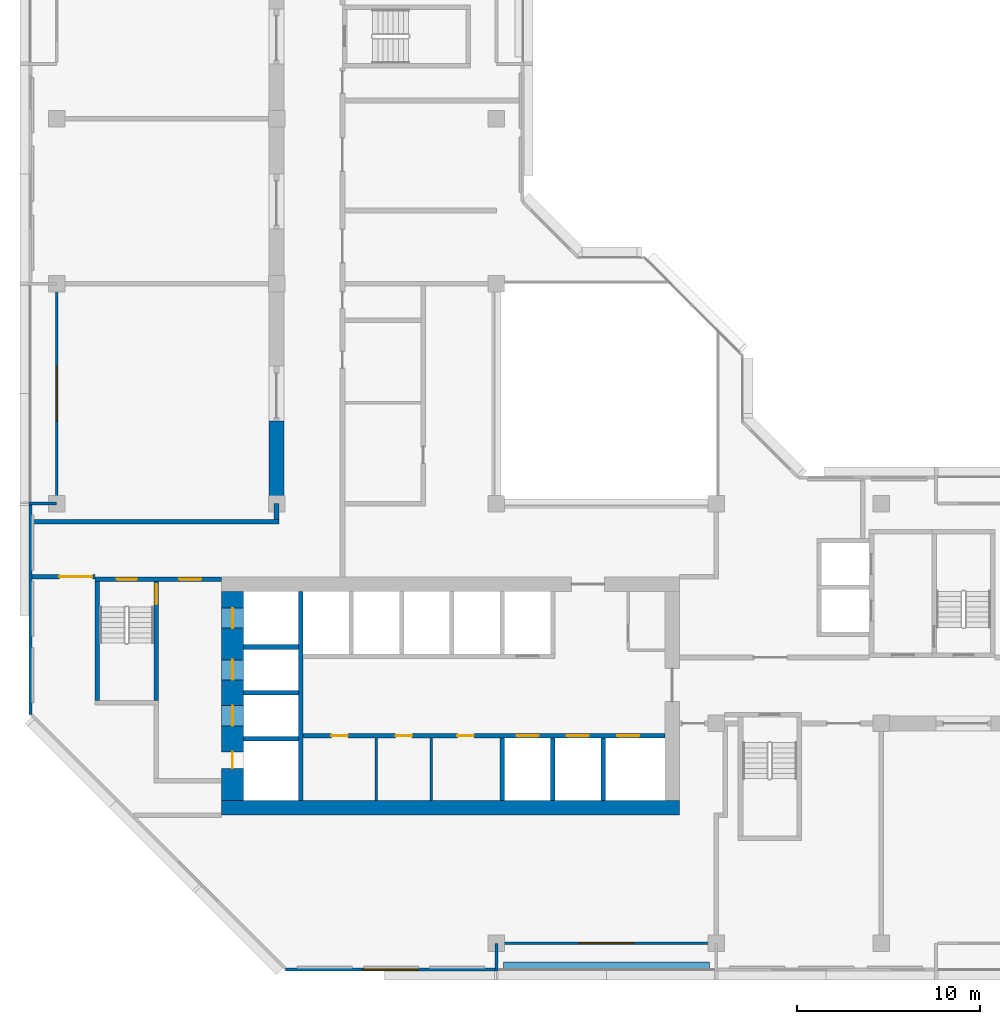
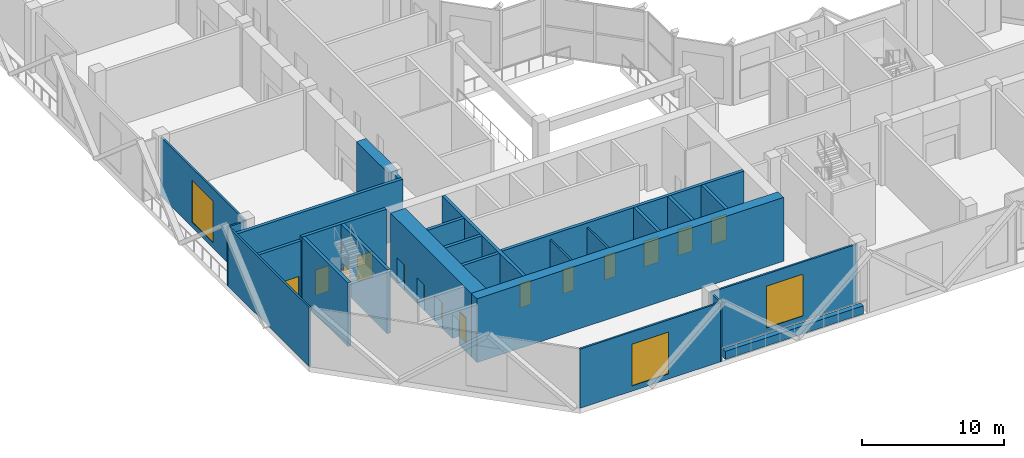
# One storey, part 4 of 11: 26 walls, 14 doors, 3 windows, 17 openings.
"""IFC4 building model written with IfcOpenShell, lengths in metres."""

from ifc_helpers import new_model, si_unit, direction, frame, frame_2d, origin, place, context, subcontext, project, spatial, rectangle, extrude, material, layer, layer_set, type_object, element, fill, save


model = new_model("IFC4")

# Units and contexts
model_context = context("Model", 3, precision=1e-05, world=origin(), true_north=direction((0.0, 1.0)))
body_context = subcontext(model_context, "Body", "Model", "MODEL_VIEW")
ifc_project = project(units=[si_unit("LENGTHUNIT", "METRE"), si_unit("AREAUNIT", "SQUARE_METRE"), si_unit("VOLUMEUNIT", "CUBIC_METRE"), si_unit("PLANEANGLEUNIT", "RADIAN"), si_unit("MASSUNIT", "GRAM", prefix="KILO")], contexts=[model_context])

# Site, building, storey
site_placement = place(None, origin())
site = spatial("IfcSite", under=ifc_project, at=site_placement, CompositionType="ELEMENT")
building_placement = place(site_placement, origin())
building = spatial("IfcBuilding", under=site, at=building_placement, Name="Chenar Terraces", CompositionType="ELEMENT")
storey_placement = place(building_placement, frame((0.0, 0.0, 206.14990234375)))
storey = spatial("IfcBuildingStorey", under=building, at=storey_placement, Name="L48", CompositionType="ELEMENT", Elevation=206.14990234375)

# Walls
ifc_material_1 = material(Name="Concrete C60/75", Category="concrete")
ifc_layer_1 = layer(ifc_material_1, 0.800048828125)
ifc_layer_set_1 = layer_set([ifc_layer_1], Name="Concrete C60/75")
wall_type_1 = type_object("IfcWallType", Name="Belt wall 800 Concrete C60/75", PredefinedType="SHEAR", material=ifc_layer_set_1)
wall_1_placement = place(storey_placement, frame((12.0, 24.0, 0.0), z_axis=(0.0, 0.0, 1.0), x_axis=(0.0, 1.0, 0.0)))
element("IfcWall", 1, at=wall_1_placement, inside=storey, type_object=wall_type_1, Name="Belt wall L48 B1", PredefinedType="SHEAR", context=body_context, shape_type="SweptSolid", body=[
    extrude(rectangle(XDim=4.5, YDim=0.800048828125, at=frame_2d((2.25, 0.0))), origin(), (0.0, 0.0, 1.0), 5.10009765625),
])
ifc_material_2 = material(Name="Gypsum board on steel studs", Category="steel")
ifc_layer_2 = layer(ifc_material_2, 0.14990234375)
ifc_layer_set_2 = layer_set([ifc_layer_2], Name="Gypsum board on steel studs")
wall_type_2 = type_object("IfcWallType", Name="Core partition 150 gypsum board", PredefinedType="PARTITIONING", material=ifc_layer_set_2)
for number, where, z_axis, x_axis, name in (
    (2, (17.449951171875, 7.800048828125, 0.0), (0.0, 0.0, 1.0), (0.0, 1.0, 0.0), "Core partition CP1 freed bay wall"),
    (3, (20.449951171875, 7.800048828125, 0.0), (0.0, 0.0, 1.0), (0.0, 1.0, 0.0), "Core partition CP1 freed bay wall"),
):
    element("IfcWall", number, at=place(storey_placement, frame(where, z_axis=z_axis, x_axis=x_axis)), inside=storey, type_object=wall_type_2, Name=name, PredefinedType="PARTITIONING", context=body_context, shape_type="SweptSolid", body=[
        extrude(rectangle(XDim=3.39990234375, YDim=0.14990234375, at=frame_2d((1.699951171875, 0.0))), origin(), (0.0, 0.0, 1.0), 5.10009765625),
    ])

# Wall, openings, doors
ifc_material_3 = material(Name="Concrete C60/75", Category="concrete")
ifc_layer_3 = layer(ifc_material_3, 1.199951171875)
ifc_layer_set_3 = layer_set([ifc_layer_3], Name="Concrete C60/75")
wall_type_3 = type_object("IfcWallType", Name="Core wall 1200 Concrete C60/75", PredefinedType="SHEAR", material=ifc_layer_set_3)
wall_2_placement = place(storey_placement, frame((9.60009765625, 7.800048828125, 0.0), z_axis=(0.0, 0.0, 1.0), x_axis=(0.0, 1.0, 0.0)))
wall_2 = element("IfcWall", 4, at=wall_2_placement, inside=storey, type_object=wall_type_3, Name="Core wall W L48", PredefinedType="SHEAR", context=body_context, shape_type="SweptSolid", body=[
    extrude(rectangle(XDim=11.39990234375, YDim=1.199951171875, at=frame_2d((5.699951171875, 0.0))), origin(), (0.0, 0.0, 1.0), 5.5),
])
opening_1_placement = place(wall_2_placement, frame((4.074951171875, 0.0, 0.0)))
opening_1 = element("IfcOpeningElement", 5, at=opening_1_placement, cuts=wall_2, Name="Opening DL48-LD5", PredefinedType="OPENING", context=body_context, shape_type="SweptSolid", body=[
    extrude(rectangle(XDim=1.10009765625, YDim=2.199951171875, at=frame_2d((0.550048828125, 1.10009765625))), frame((0.0, 0.60986328125, 0.0), z_axis=(0.0, -1.0, 0.0), x_axis=(1.0, 0.0, 0.0)), (0.0, 0.0, 1.0), 1.219970703125),
])
opening_2_placement = place(wall_2_placement, frame((6.574951171875, 0.0, 0.0)))
opening_2 = element("IfcOpeningElement", 6, at=opening_2_placement, cuts=wall_2, Name="Opening DL48-LD6", PredefinedType="OPENING", context=body_context, shape_type="SweptSolid", body=[
    extrude(rectangle(XDim=1.10009765625, YDim=2.199951171875, at=frame_2d((0.550048828125, 1.10009765625))), frame((0.0, 0.60986328125, 0.0), z_axis=(0.0, -1.0, 0.0), x_axis=(1.0, 0.0, 0.0)), (0.0, 0.0, 1.0), 1.219970703125),
])
opening_3_placement = place(wall_2_placement, frame((9.39990234375, 0.0, 0.0)))
opening_3 = element("IfcOpeningElement", 7, at=opening_3_placement, cuts=wall_2, Name="Opening DL48-LD7", PredefinedType="OPENING", context=body_context, shape_type="SweptSolid", body=[
    extrude(rectangle(XDim=1.10009765625, YDim=2.199951171875, at=frame_2d((0.550048828125, 1.10009765625))), frame((0.0, 0.60986328125, 0.0), z_axis=(0.0, -1.0, 0.0), x_axis=(1.0, 0.0, 0.0)), (0.0, 0.0, 1.0), 1.219970703125),
])
opening_4_placement = place(wall_2_placement, frame((1.75, 0.0, 0.0)))
opening_4 = element("IfcOpeningElement", 8, at=opening_4_placement, cuts=wall_2, Name="Opening DL48-C4", PredefinedType="OPENING", context=body_context, shape_type="SweptSolid", body=[
    extrude(rectangle(XDim=0.89990234375, YDim=2.10009765625, at=frame_2d((0.449951171875, 1.050048828125))), frame((0.0, 0.60986328125, 0.0), z_axis=(0.0, -1.0, 0.0), x_axis=(1.0, 0.0, 0.0)), (0.0, 0.0, 1.0), 1.219970703125),
])
ifc_material_4 = material(Name="Stainless steel", Category="steel")
door_type_1 = type_object("IfcDoorType", Name="Lift landing door 1100 x 2200 sliding", OperationType="DOUBLE_DOOR_SLIDING", PredefinedType="DOOR", material=ifc_material_4)
door_1_placement = place(opening_1_placement, origin())
door_1 = element("IfcDoor", 9, at=door_1_placement, inside=storey, type_object=door_type_1, Name="Landing door S1", OperationType="DOUBLE_DOOR_SLIDING", OverallHeight=2.199951171875, OverallWidth=1.10009765625, PredefinedType="DOOR", context=body_context, shape_type="SweptSolid", body=[
    extrude(rectangle(XDim=1.10009765625, YDim=2.199951171875, at=frame_2d((0.550048828125, 1.10009765625))), frame((0.0, 0.02490234375, 0.0), z_axis=(0.0, -1.0, 0.0), x_axis=(1.0, 0.0, 0.0)), (0.0, 0.0, 1.0), 0.050048828125),
])
fill(opening_1, door_1)
door_2_placement = place(opening_2_placement, origin())
door_2 = element("IfcDoor", 10, at=door_2_placement, inside=storey, type_object=door_type_1, Name="Landing door F1", OperationType="DOUBLE_DOOR_SLIDING", OverallHeight=2.199951171875, OverallWidth=1.10009765625, PredefinedType="DOOR", context=body_context, shape_type="SweptSolid", body=[
    extrude(rectangle(XDim=1.10009765625, YDim=2.199951171875, at=frame_2d((0.550048828125, 1.10009765625))), frame((0.0, 0.02490234375, 0.0), z_axis=(0.0, -1.0, 0.0), x_axis=(1.0, 0.0, 0.0)), (0.0, 0.0, 1.0), 0.050048828125),
])
fill(opening_2, door_2)
door_3_placement = place(opening_3_placement, origin())
door_3 = element("IfcDoor", 11, at=door_3_placement, inside=storey, type_object=door_type_1, Name="Landing door F2", OperationType="DOUBLE_DOOR_SLIDING", OverallHeight=2.199951171875, OverallWidth=1.10009765625, PredefinedType="DOOR", context=body_context, shape_type="SweptSolid", body=[
    extrude(rectangle(XDim=1.10009765625, YDim=2.199951171875, at=frame_2d((0.550048828125, 1.10009765625))), frame((0.0, 0.02490234375, 0.0), z_axis=(0.0, -1.0, 0.0), x_axis=(1.0, 0.0, 0.0)), (0.0, 0.0, 1.0), 0.050048828125),
])
fill(opening_3, door_3)
ifc_material_5 = material(Name="Steel-framed fire-resisting door leaf", Category="steel")
door_type_2 = type_object("IfcDoorType", Name="Riser fire door FD60 900 x 2100", OperationType="SINGLE_SWING_LEFT", PredefinedType="DOOR", material=ifc_material_5)
door_4_placement = place(opening_4_placement, frame((0.89990234375, 0.0, 0.0), z_axis=(0.0, 0.0, 1.0), x_axis=(-1.0, 0.0, 0.0)))
door_4 = element("IfcDoor", 12, at=door_4_placement, inside=storey, type_object=door_type_2, Name="Riser door DL48-C4", OperationType="SINGLE_SWING_LEFT", OverallHeight=2.10009765625, OverallWidth=0.89990234375, PredefinedType="DOOR", context=body_context, shape_type="SweptSolid", body=[
    extrude(rectangle(XDim=0.89990234375, YDim=2.10009765625, at=frame_2d((0.449951171875, 1.050048828125))), frame((0.0, 0.02490234375, 0.0), z_axis=(0.0, -1.0, 0.0), x_axis=(1.0, 0.0, 0.0)), (0.0, 0.0, 1.0), 0.050048828125),
])
fill(opening_4, door_4)

# Wall
ifc_material_6 = material(Name="Concrete C60/75", Category="concrete")
ifc_layer_4 = layer(ifc_material_6, 0.25)
ifc_layer_set_4 = layer_set([ifc_layer_4], Name="Concrete C60/75")
wall_type_4 = type_object("IfcWallType", Name="Core wall 250 Concrete C60/75", PredefinedType="SHEAR", material=ifc_layer_set_4)
wall_3_placement = place(storey_placement, frame((13.324951171875, 7.800048828125, 0.0), z_axis=(0.0, 0.0, 1.0), x_axis=(0.0, 1.0, 0.0)))
element("IfcWall", 13, at=wall_3_placement, inside=storey, type_object=wall_type_4, Name="Core wall WI L48", PredefinedType="SHEAR", context=body_context, shape_type="SweptSolid", body=[
    extrude(rectangle(XDim=11.39990234375, YDim=0.25, at=frame_2d((5.699951171875, 0.0))), origin(), (0.0, 0.0, 1.0), 5.5),
])

# Wall, openings, doors
wall_4_placement = place(storey_placement, frame((13.449951171875, 11.324951171875, 0.0), z_axis=(0.0, 0.0, 1.0), x_axis=(1.0, 0.0, 0.0)))
wall_4 = element("IfcWall", 14, at=wall_4_placement, inside=storey, type_object=wall_type_4, Name="Core wall SF L48", PredefinedType="SHEAR", context=body_context, shape_type="SweptSolid", body=[
    extrude(rectangle(XDim=19.75, YDim=0.25, at=frame_2d((9.875, 0.0))), origin(), (0.0, 0.0, 1.0), 5.5),
])
opening_5_placement = place(wall_4_placement, frame((11.64990234375, 0.0, 0.0)))
opening_5 = element("IfcOpeningElement", 15, at=opening_5_placement, cuts=wall_4, Name="Opening DL48-LD1", PredefinedType="OPENING", context=body_context, shape_type="SweptSolid", body=[
    extrude(rectangle(XDim=1.199951171875, YDim=2.199951171875, at=frame_2d((0.60009765625, 1.10009765625))), frame((0.0, 0.135009765625, 0.0), z_axis=(0.0, -1.0, 0.0), x_axis=(1.0, 0.0, 0.0)), (0.0, 0.0, 1.0), 0.27001953125),
])
opening_6_placement = place(wall_4_placement, frame((14.39990234375, 0.0, 0.0)))
opening_6 = element("IfcOpeningElement", 16, at=opening_6_placement, cuts=wall_4, Name="Opening DL48-LD2", PredefinedType="OPENING", context=body_context, shape_type="SweptSolid", body=[
    extrude(rectangle(XDim=1.199951171875, YDim=2.199951171875, at=frame_2d((0.60009765625, 1.10009765625))), frame((0.0, 0.135009765625, 0.0), z_axis=(0.0, -1.0, 0.0), x_axis=(1.0, 0.0, 0.0)), (0.0, 0.0, 1.0), 0.27001953125),
])
opening_7_placement = place(wall_4_placement, frame((17.14990234375, 0.0, 0.0)))
opening_7 = element("IfcOpeningElement", 17, at=opening_7_placement, cuts=wall_4, Name="Opening DL48-LD3", PredefinedType="OPENING", context=body_context, shape_type="SweptSolid", body=[
    extrude(rectangle(XDim=1.199951171875, YDim=2.199951171875, at=frame_2d((0.60009765625, 1.10009765625))), frame((0.0, 0.135009765625, 0.0), z_axis=(0.0, -1.0, 0.0), x_axis=(1.0, 0.0, 0.0)), (0.0, 0.0, 1.0), 0.27001953125),
])
opening_8_placement = place(wall_4_placement, frame((1.550048828125, 0.0, 0.0)))
opening_8 = element("IfcOpeningElement", 18, at=opening_8_placement, cuts=wall_4, Name="Opening DL48-C12", PredefinedType="OPENING", context=body_context, shape_type="SweptSolid", body=[
    extrude(rectangle(XDim=0.89990234375, YDim=2.10009765625, at=frame_2d((0.449951171875, 1.050048828125))), frame((0.0, 0.135009765625, 0.0), z_axis=(0.0, -1.0, 0.0), x_axis=(1.0, 0.0, 0.0)), (0.0, 0.0, 1.0), 0.27001953125),
])
opening_9_placement = place(wall_4_placement, frame((5.050048828125, 0.0, 0.0)))
opening_9 = element("IfcOpeningElement", 19, at=opening_9_placement, cuts=wall_4, Name="Opening DL48-C13", PredefinedType="OPENING", context=body_context, shape_type="SweptSolid", body=[
    extrude(rectangle(XDim=0.89990234375, YDim=2.10009765625, at=frame_2d((0.449951171875, 1.050048828125))), frame((0.0, 0.135009765625, 0.0), z_axis=(0.0, -1.0, 0.0), x_axis=(1.0, 0.0, 0.0)), (0.0, 0.0, 1.0), 0.27001953125),
])
opening_10_placement = place(wall_4_placement, frame((8.425048828125, 0.0, 0.0)))
opening_10 = element("IfcOpeningElement", 20, at=opening_10_placement, cuts=wall_4, Name="Opening DL48-C14", PredefinedType="OPENING", context=body_context, shape_type="SweptSolid", body=[
    extrude(rectangle(XDim=0.89990234375, YDim=2.10009765625, at=frame_2d((0.449951171875, 1.050048828125))), frame((0.0, 0.135009765625, 0.0), z_axis=(0.0, -1.0, 0.0), x_axis=(1.0, 0.0, 0.0)), (0.0, 0.0, 1.0), 0.27001953125),
])
ifc_material_7 = material(Name="Stainless steel", Category="steel")
door_type_3 = type_object("IfcDoorType", Name="Lift landing door 1200 x 2200 sliding", OperationType="DOUBLE_DOOR_SLIDING", PredefinedType="DOOR", material=ifc_material_7)
door_5_placement = place(opening_5_placement, origin())
door_5 = element("IfcDoor", 21, at=door_5_placement, inside=storey, type_object=door_type_3, Name="Landing door M1", OperationType="DOUBLE_DOOR_SLIDING", OverallHeight=2.199951171875, OverallWidth=1.199951171875, PredefinedType="DOOR", context=body_context, shape_type="SweptSolid", body=[
    extrude(rectangle(XDim=1.199951171875, YDim=2.199951171875, at=frame_2d((0.60009765625, 1.10009765625))), frame((0.0, 0.02490234375, 0.0), z_axis=(0.0, -1.0, 0.0), x_axis=(1.0, 0.0, 0.0)), (0.0, 0.0, 1.0), 0.050048828125),
])
fill(opening_5, door_5)
door_6_placement = place(opening_6_placement, origin())
door_6 = element("IfcDoor", 22, at=door_6_placement, inside=storey, type_object=door_type_3, Name="Landing door M2", OperationType="DOUBLE_DOOR_SLIDING", OverallHeight=2.199951171875, OverallWidth=1.199951171875, PredefinedType="DOOR", context=body_context, shape_type="SweptSolid", body=[
    extrude(rectangle(XDim=1.199951171875, YDim=2.199951171875, at=frame_2d((0.60009765625, 1.10009765625))), frame((0.0, 0.02490234375, 0.0), z_axis=(0.0, -1.0, 0.0), x_axis=(1.0, 0.0, 0.0)), (0.0, 0.0, 1.0), 0.050048828125),
])
fill(opening_6, door_6)
door_7_placement = place(opening_7_placement, origin())
door_7 = element("IfcDoor", 23, at=door_7_placement, inside=storey, type_object=door_type_3, Name="Landing door M3", OperationType="DOUBLE_DOOR_SLIDING", OverallHeight=2.199951171875, OverallWidth=1.199951171875, PredefinedType="DOOR", context=body_context, shape_type="SweptSolid", body=[
    extrude(rectangle(XDim=1.199951171875, YDim=2.199951171875, at=frame_2d((0.60009765625, 1.10009765625))), frame((0.0, 0.02490234375, 0.0), z_axis=(0.0, -1.0, 0.0), x_axis=(1.0, 0.0, 0.0)), (0.0, 0.0, 1.0), 0.050048828125),
])
fill(opening_7, door_7)
door_8_placement = place(opening_8_placement, frame((0.89990234375, 0.0, 0.0), z_axis=(0.0, 0.0, 1.0), x_axis=(-1.0, 0.0, 0.0)))
door_8 = element("IfcDoor", 24, at=door_8_placement, inside=storey, type_object=door_type_2, Name="Core room door DL48-C12", OperationType="SINGLE_SWING_LEFT", OverallHeight=2.10009765625, OverallWidth=0.89990234375, PredefinedType="DOOR", context=body_context, shape_type="SweptSolid", body=[
    extrude(rectangle(XDim=0.89990234375, YDim=2.10009765625, at=frame_2d((0.449951171875, 1.050048828125))), frame((0.0, 0.02490234375, 0.0), z_axis=(0.0, -1.0, 0.0), x_axis=(1.0, 0.0, 0.0)), (0.0, 0.0, 1.0), 0.050048828125),
])
fill(opening_8, door_8)
door_9_placement = place(opening_9_placement, frame((0.89990234375, 0.0, 0.0), z_axis=(0.0, 0.0, 1.0), x_axis=(-1.0, 0.0, 0.0)))
door_9 = element("IfcDoor", 25, at=door_9_placement, inside=storey, type_object=door_type_2, Name="Core room door DL48-C13", OperationType="SINGLE_SWING_LEFT", OverallHeight=2.10009765625, OverallWidth=0.89990234375, PredefinedType="DOOR", context=body_context, shape_type="SweptSolid", body=[
    extrude(rectangle(XDim=0.89990234375, YDim=2.10009765625, at=frame_2d((0.449951171875, 1.050048828125))), frame((0.0, 0.02490234375, 0.0), z_axis=(0.0, -1.0, 0.0), x_axis=(1.0, 0.0, 0.0)), (0.0, 0.0, 1.0), 0.050048828125),
])
fill(opening_9, door_9)
door_10_placement = place(opening_10_placement, frame((0.89990234375, 0.0, 0.0), z_axis=(0.0, 0.0, 1.0), x_axis=(-1.0, 0.0, 0.0)))
door_10 = element("IfcDoor", 26, at=door_10_placement, inside=storey, type_object=door_type_2, Name="Core room door DL48-C14", OperationType="SINGLE_SWING_RIGHT", OverallHeight=2.10009765625, OverallWidth=0.89990234375, PredefinedType="DOOR", context=body_context, shape_type="SweptSolid", body=[
    extrude(rectangle(XDim=0.89990234375, YDim=2.10009765625, at=frame_2d((0.449951171875, 1.050048828125))), frame((0.0, 0.02490234375, 0.0), z_axis=(0.0, -1.0, 0.0), x_axis=(1.0, 0.0, 0.0)), (0.0, 0.0, 1.0), 0.050048828125),
])
fill(opening_10, door_10)

# Walls
for number, where, z_axis, x_axis, name in (
    (27, (10.199951171875, 11.175048828125, 0.0), (0.0, 0.0, 1.0), (1.0, 0.0, 0.0), "Core wall HW0 L48"),
    (28, (10.199951171875, 13.675048828125, 0.0), (0.0, 0.0, 1.0), (1.0, 0.0, 0.0), "Core wall HW1 L48"),
    (29, (10.199951171875, 16.175048828125, 0.0), (0.0, 0.0, 1.0), (1.0, 0.0, 0.0), "Core wall HW2 L48"),
):
    element("IfcWall", number, at=place(storey_placement, frame(where, z_axis=z_axis, x_axis=x_axis)), inside=storey, type_object=wall_type_4, Name=name, PredefinedType="SHEAR", context=body_context, shape_type="SweptSolid", body=[
        extrude(rectangle(XDim=3.0, YDim=0.25, at=frame_2d((1.5, 0.0))), origin(), (0.0, 0.0, 1.0), 5.5),
    ])
for number, where, z_axis, x_axis, name in (
    (30, (24.324951171875, 7.800048828125, 0.0), (0.0, 0.0, 1.0), (0.0, 1.0, 0.0), "Core wall SS3 L48"),
    (31, (27.074951171875, 7.800048828125, 0.0), (0.0, 0.0, 1.0), (0.0, 1.0, 0.0), "Core wall SS4 L48"),
    (32, (29.824951171875, 7.800048828125, 0.0), (0.0, 0.0, 1.0), (0.0, 1.0, 0.0), "Core wall SS5 L48"),
):
    element("IfcWall", number, at=place(storey_placement, frame(where, z_axis=z_axis, x_axis=x_axis)), inside=storey, type_object=wall_type_4, Name=name, PredefinedType="SHEAR", context=body_context, shape_type="SweptSolid", body=[
        extrude(rectangle(XDim=3.39990234375, YDim=0.25, at=frame_2d((1.699951171875, 0.0))), origin(), (0.0, 0.0, 1.0), 5.5),
    ])

# Wall, openings, doors
wall_5_placement = place(storey_placement, frame((2.10009765625, 19.875, 0.0), z_axis=(0.0, 0.0, 1.0), x_axis=(1.0, 0.0, 0.0)))
wall_5 = element("IfcWall", 33, at=wall_5_placement, inside=storey, type_object=wall_type_4, Name="Core wall A_N L48", PredefinedType="SHEAR", context=body_context, shape_type="SweptSolid", body=[
    extrude(rectangle(XDim=6.89990234375, YDim=0.25, at=frame_2d((3.449951171875, 0.0))), origin(), (0.0, 0.0, 1.0), 5.5),
])
opening_11_placement = place(wall_5_placement, frame((1.175048828125, 0.0, 0.0)))
opening_11 = element("IfcOpeningElement", 34, at=opening_11_placement, cuts=wall_5, Name="Opening DL48-C5", PredefinedType="OPENING", context=body_context, shape_type="SweptSolid", body=[
    extrude(rectangle(XDim=1.10009765625, YDim=2.199951171875, at=frame_2d((0.550048828125, 1.10009765625))), frame((0.0, 0.135009765625, 0.0), z_axis=(0.0, -1.0, 0.0), x_axis=(1.0, 0.0, 0.0)), (0.0, 0.0, 1.0), 0.27001953125),
])
opening_12_placement = place(wall_5_placement, frame((4.60009765625, 0.0, 0.0)))
opening_12 = element("IfcOpeningElement", 35, at=opening_12_placement, cuts=wall_5, Name="Opening DL48-C6", PredefinedType="OPENING", context=body_context, shape_type="SweptSolid", body=[
    extrude(rectangle(XDim=1.199951171875, YDim=2.199951171875, at=frame_2d((0.60009765625, 1.10009765625))), frame((0.0, 0.135009765625, 0.0), z_axis=(0.0, -1.0, 0.0), x_axis=(1.0, 0.0, 0.0)), (0.0, 0.0, 1.0), 0.27001953125),
])
ifc_material_8 = material(Name="Steel-framed fire-resisting door leaf", Category="steel")
door_type_4 = type_object("IfcDoorType", Name="Lobby fire door FD60 1200 x 2200", OperationType="SINGLE_SWING_LEFT", PredefinedType="DOOR", material=ifc_material_8)
door_11_placement = place(opening_12_placement, frame((1.199951171875, 0.0, 0.0), z_axis=(0.0, 0.0, 1.0), x_axis=(-1.0, 0.0, 0.0)))
door_11 = element("IfcDoor", 36, at=door_11_placement, inside=storey, type_object=door_type_4, Name="Core door DL48-C6", OperationType="SINGLE_SWING_LEFT", OverallHeight=2.199951171875, OverallWidth=1.199951171875, PredefinedType="DOOR", context=body_context, shape_type="SweptSolid", body=[
    extrude(rectangle(XDim=1.199951171875, YDim=2.199951171875, at=frame_2d((0.60009765625, 1.10009765625))), frame((0.0, 0.02490234375, 0.0), z_axis=(0.0, -1.0, 0.0), x_axis=(1.0, 0.0, 0.0)), (0.0, 0.0, 1.0), 0.050048828125),
])
fill(opening_12, door_11)
ifc_material_9 = material(Name="Steel-framed fire-resisting door leaf", Category="steel")
door_type_5 = type_object("IfcDoorType", Name="Stair fire door FD60 1100 x 2200", OperationType="SINGLE_SWING_LEFT", PredefinedType="DOOR", material=ifc_material_9)
door_12_placement = place(opening_11_placement, origin())
door_12 = element("IfcDoor", 37, at=door_12_placement, inside=storey, type_object=door_type_5, Name="Stair door DL48-C5", OperationType="SINGLE_SWING_LEFT", OverallHeight=2.199951171875, OverallWidth=1.10009765625, PredefinedType="DOOR", context=body_context, shape_type="SweptSolid", body=[
    extrude(rectangle(XDim=1.10009765625, YDim=2.199951171875, at=frame_2d((0.550048828125, 1.10009765625))), frame((0.0, 0.02490234375, 0.0), z_axis=(0.0, -1.0, 0.0), x_axis=(1.0, 0.0, 0.0)), (0.0, 0.0, 1.0), 0.050048828125),
])
fill(opening_11, door_12)

# Wall
wall_6_placement = place(storey_placement, frame((2.22509765625, 13.25, 0.0), z_axis=(0.0, 0.0, 1.0), x_axis=(0.0, 1.0, 0.0)))
element("IfcWall", 38, at=wall_6_placement, inside=storey, type_object=wall_type_4, Name="Core wall ST1_W L48", PredefinedType="SHEAR", context=body_context, shape_type="SweptSolid", body=[
    extrude(rectangle(XDim=6.5, YDim=0.25, at=frame_2d((3.25, 0.0))), origin(), (0.0, 0.0, 1.0), 5.5),
])

# Wall, opening, door
wall_7_placement = place(storey_placement, frame((5.425048828125, 13.25, 0.0), z_axis=(0.0, 0.0, 1.0), x_axis=(0.0, 1.0, 0.0)))
wall_7 = element("IfcWall", 39, at=wall_7_placement, inside=storey, type_object=wall_type_4, Name="Core wall ST1_E L48", PredefinedType="SHEAR", context=body_context, shape_type="SweptSolid", body=[
    extrude(rectangle(XDim=6.5, YDim=0.25, at=frame_2d((3.25, 0.0))), origin(), (0.0, 0.0, 1.0), 5.5),
])
opening_13_placement = place(wall_7_placement, frame((5.25, 0.0, 0.0)))
opening_13 = element("IfcOpeningElement", 40, at=opening_13_placement, cuts=wall_7, Name="Opening DL48-C3", PredefinedType="OPENING", context=body_context, shape_type="SweptSolid", body=[
    extrude(rectangle(XDim=1.10009765625, YDim=2.199951171875, at=frame_2d((0.550048828125, 1.10009765625))), frame((0.0, 0.135009765625, 0.0), z_axis=(0.0, -1.0, 0.0), x_axis=(1.0, 0.0, 0.0)), (0.0, 0.0, 1.0), 0.27001953125),
])
door_13_placement = place(opening_13_placement, origin())
door_13 = element("IfcDoor", 41, at=door_13_placement, inside=storey, type_object=door_type_5, Name="Stair door DL48-C3", OperationType="SINGLE_SWING_RIGHT", OverallHeight=2.199951171875, OverallWidth=1.10009765625, PredefinedType="DOOR", context=body_context, shape_type="SweptSolid", body=[
    extrude(rectangle(XDim=1.10009765625, YDim=2.199951171875, at=frame_2d((0.550048828125, 1.10009765625))), frame((0.0, 0.02490234375, 0.0), z_axis=(0.0, -1.0, 0.0), x_axis=(1.0, 0.0, 0.0)), (0.0, 0.0, 1.0), 0.050048828125),
])
fill(opening_13, door_13)

# Walls
ifc_material_10 = material(Name="Concrete C60/75", Category="concrete")
ifc_layer_5 = layer(ifc_material_10, 0.800048828125)
ifc_layer_set_5 = layer_set([ifc_layer_5], Name="Concrete C60/75")
wall_type_5 = type_object("IfcWallType", Name="Core wall 800 Concrete C60/75", PredefinedType="SHEAR", material=ifc_layer_set_5)
wall_8_placement = place(storey_placement, frame((9.0, 7.39990234375, 0.0), z_axis=(0.0, 0.0, 1.0), x_axis=(1.0, 0.0, 0.0)))
element("IfcWall", 42, at=wall_8_placement, inside=storey, type_object=wall_type_5, Name="Core wall S L48", PredefinedType="SHEAR", context=body_context, shape_type="SweptSolid", body=[
    extrude(rectangle(XDim=25.0, YDim=0.800048828125, at=frame_2d((12.5, 0.0))), origin(), (0.0, 0.0, 1.0), 5.5),
])
ifc_material_11 = material(Name="Aluminium framed glazing", Category="aluminium")
ifc_layer_6 = layer(ifc_material_11, 0.14990234375)
ifc_layer_set_6 = layer_set([ifc_layer_6], Name="Aluminium framed glazing")
wall_type_6 = type_object("IfcWallType", Name="Glazed flush facade wall 150", PredefinedType="SOLIDWALL", material=ifc_layer_set_6)
wall_9_placement = place(storey_placement, frame((-1.425048828125, 23.925048828125, 0.0), z_axis=(0.0, 0.0, 1.0), x_axis=(0.0, -1.0, 0.0)))
element("IfcWall", 43, at=wall_9_placement, inside=storey, type_object=wall_type_6, Name="Glazed flush facade wall", PredefinedType="SOLIDWALL", context=body_context, shape_type="SweptSolid", body=[
    extrude(rectangle(XDim=11.425048828125, YDim=0.14990234375, at=frame_2d((5.71240234375, 0.0))), origin(), (0.0, 0.0, 1.0), 5.10009765625),
])

# Wall, opening, window
wall_10_placement = place(storey_placement, frame((12.5, -1.425048828125, 0.0), z_axis=(0.0, 0.0, 1.0), x_axis=(1.0, 0.0, 0.0)))
wall_10 = element("IfcWall", 44, at=wall_10_placement, inside=storey, type_object=wall_type_6, Name="Glazed flush facade wall", PredefinedType="SOLIDWALL", context=body_context, shape_type="SweptSolid", body=[
    extrude(rectangle(XDim=11.425048828125, YDim=0.14990234375, at=frame_2d((5.71240234375, 0.0))), origin(), (0.0, 0.0, 1.0), 5.10009765625),
])
opening_14_placement = place(wall_10_placement, frame((4.21240234375, 0.0, 0.449951171875)))
opening_14 = element("IfcOpeningElement", 45, at=opening_14_placement, cuts=wall_10, Name="Opening W300x360", PredefinedType="OPENING", context=body_context, shape_type="SweptSolid", body=[
    extrude(rectangle(XDim=3.0, YDim=3.60009765625, at=frame_2d((1.5, 1.800048828125))), frame((0.0, 0.0849609375, 0.0), z_axis=(0.0, -1.0, 0.0), x_axis=(1.0, 0.0, 0.0)), (0.0, 0.0, 1.0), 0.169921875),
])
ifc_material_12 = material(Name="Low emissivity double glazing, aluminium frame", Category="aluminium")
window_type = type_object("IfcWindowType", Name="Fixed light 3000 x 3600", PartitioningType="SINGLE_PANEL", PredefinedType="WINDOW", material=ifc_material_12)
window_1_placement = place(opening_14_placement, origin())
window_1 = element("IfcWindow", 46, at=window_1_placement, inside=storey, type_object=window_type, Name="Window", OverallHeight=3.60009765625, OverallWidth=3.0, PartitioningType="SINGLE_PANEL", PredefinedType="WINDOW", context=body_context, shape_type="SweptSolid", body=[
    extrude(rectangle(XDim=3.0, YDim=3.60009765625, at=frame_2d((1.5, 1.800048828125))), frame((0.0, 0.030029296875, 0.0), z_axis=(0.0, -1.0, 0.0), x_axis=(1.0, 0.0, 0.0)), (0.0, 0.0, 1.0), 0.06005859375),
])
fill(opening_14, window_1)

ifc_material_13 = material(Name="Aluminium framed glazing", Category="aluminium")
ifc_layer_7 = layer(ifc_material_13, 0.14990234375)
ifc_layer_set_7 = layer_set([ifc_layer_7], Name="Aluminium framed glazing")
wall_type_7 = type_object("IfcWallType", Name="Glazed loggia back wall 150", PredefinedType="SOLIDWALL", material=ifc_layer_set_7)
wall_11_placement = place(storey_placement, frame((0.0, 35.925048828125, 0.0), z_axis=(0.0, 0.0, 1.0), x_axis=(0.0, -1.0, 0.0)))
wall_11 = element("IfcWall", 47, at=wall_11_placement, inside=storey, type_object=wall_type_7, Name="Glazed loggia back wall", PredefinedType="SOLIDWALL", context=body_context, shape_type="SweptSolid", body=[
    extrude(rectangle(XDim=11.85009765625, YDim=0.14990234375, at=frame_2d((5.925048828125, 0.0))), origin(), (0.0, 0.0, 1.0), 5.10009765625),
])
opening_15_placement = place(wall_11_placement, frame((4.425048828125, 0.0, 0.449951171875)))
opening_15 = element("IfcOpeningElement", 48, at=opening_15_placement, cuts=wall_11, Name="Opening W300x360", PredefinedType="OPENING", context=body_context, shape_type="SweptSolid", body=[
    extrude(rectangle(XDim=3.0, YDim=3.60009765625, at=frame_2d((1.5, 1.800048828125))), frame((0.0, 0.0849609375, 0.0), z_axis=(0.0, -1.0, 0.0), x_axis=(1.0, 0.0, 0.0)), (0.0, 0.0, 1.0), 0.169921875),
])
window_2_placement = place(opening_15_placement, origin())
window_2 = element("IfcWindow", 49, at=window_2_placement, inside=storey, type_object=window_type, Name="Window", OverallHeight=3.60009765625, OverallWidth=3.0, PartitioningType="SINGLE_PANEL", PredefinedType="WINDOW", context=body_context, shape_type="SweptSolid", body=[
    extrude(rectangle(XDim=3.0, YDim=3.60009765625, at=frame_2d((1.5, 1.800048828125))), frame((0.0, 0.030029296875, 0.0), z_axis=(0.0, -1.0, 0.0), x_axis=(1.0, 0.0, 0.0)), (0.0, 0.0, 1.0), 0.06005859375),
])
fill(opening_15, window_2)

wall_12_placement = place(storey_placement, frame((24.074951171875, 0.0, 0.0), z_axis=(0.0, 0.0, 1.0), x_axis=(1.0, 0.0, 0.0)))
wall_12 = element("IfcWall", 50, at=wall_12_placement, inside=storey, type_object=wall_type_7, Name="Glazed loggia back wall", PredefinedType="SOLIDWALL", context=body_context, shape_type="SweptSolid", body=[
    extrude(rectangle(XDim=11.85009765625, YDim=0.14990234375, at=frame_2d((5.925048828125, 0.0))), origin(), (0.0, 0.0, 1.0), 5.10009765625),
])
opening_16_placement = place(wall_12_placement, frame((4.425048828125, 0.0, 0.449951171875)))
opening_16 = element("IfcOpeningElement", 51, at=opening_16_placement, cuts=wall_12, Name="Opening W300x360", PredefinedType="OPENING", context=body_context, shape_type="SweptSolid", body=[
    extrude(rectangle(XDim=3.0, YDim=3.60009765625, at=frame_2d((1.5, 1.800048828125))), frame((0.0, 0.0849609375, 0.0), z_axis=(0.0, -1.0, 0.0), x_axis=(1.0, 0.0, 0.0)), (0.0, 0.0, 1.0), 0.169921875),
])
window_3_placement = place(opening_16_placement, origin())
window_3 = element("IfcWindow", 52, at=window_3_placement, inside=storey, type_object=window_type, Name="Window", OverallHeight=3.60009765625, OverallWidth=3.0, PartitioningType="SINGLE_PANEL", PredefinedType="WINDOW", context=body_context, shape_type="SweptSolid", body=[
    extrude(rectangle(XDim=3.0, YDim=3.60009765625, at=frame_2d((1.5, 1.800048828125))), frame((0.0, 0.030029296875, 0.0), z_axis=(0.0, -1.0, 0.0), x_axis=(1.0, 0.0, 0.0)), (0.0, 0.0, 1.0), 0.06005859375),
])
fill(opening_16, window_3)

# Walls
ifc_material_14 = material(Name="Terracotta cladding on insulated backing", Category="masonry")
ifc_layer_8 = layer(ifc_material_14, 0.14990234375)
ifc_layer_set_8 = layer_set([ifc_layer_8], Name="Terracotta cladding on insulated backing")
wall_type_8 = type_object("IfcWallType", Name="Loggia return wall 150", PredefinedType="SOLIDWALL", material=ifc_layer_set_8)
for number, where, z_axis, x_axis, name in (
    (53, (-1.5, 24.0, 0.0), (0.0, 0.0, 1.0), (1.0, 0.0, 0.0), "Loggia return wall"),
    (54, (24.0, -1.5, 0.0), (0.0, 0.0, 1.0), (0.0, 1.0, 0.0), "Loggia return wall"),
):
    element("IfcWall", number, at=place(storey_placement, frame(where, z_axis=z_axis, x_axis=x_axis)), inside=storey, type_object=wall_type_8, Name=name, PredefinedType="SOLIDWALL", context=body_context, shape_type="SweptSolid", body=[
        extrude(rectangle(XDim=1.5, YDim=0.14990234375, at=frame_2d((0.75, 0.0))), origin(), (0.0, 0.0, 1.0), 5.10009765625),
    ])

# Wall, opening, door
ifc_material_15 = material(Name="Fire-board and steel stud wall with mineral wool", Category="steel")
ifc_layer_9 = layer(ifc_material_15, 0.25)
ifc_layer_set_9 = layer_set([ifc_layer_9], Name="Fire-board and steel stud wall with mineral wool")
wall_type_9 = type_object("IfcWallType", Name="Refuge compartment wall 250", PredefinedType="PARTITIONING", material=ifc_layer_set_9)
wall_13_placement = place(storey_placement, frame((-1.35009765625, 20.0, 0.0), z_axis=(0.0, 0.0, 1.0), x_axis=(1.0, 0.0, 0.0)))
wall_13 = element("IfcWall", 55, at=wall_13_placement, inside=storey, type_object=wall_type_9, Name="Partition L48-001", PredefinedType="PARTITIONING", context=body_context, shape_type="SweptSolid", body=[
    extrude(rectangle(XDim=3.4501953125, YDim=0.25, at=frame_2d((1.72509765625, 0.0))), origin(), (0.0, 0.0, 1.0), 5.10009765625),
])
opening_17_placement = place(wall_13_placement, frame((1.5, 0.0, 0.0)))
opening_17 = element("IfcOpeningElement", 56, at=opening_17_placement, cuts=wall_13, Name="Opening DL48-17", PredefinedType="OPENING", context=body_context, shape_type="SweptSolid", body=[
    extrude(rectangle(XDim=1.800048828125, YDim=2.10009765625, at=frame_2d((0.89990234375, 1.050048828125))), frame((0.0, 0.135009765625, 0.0), z_axis=(0.0, -1.0, 0.0), x_axis=(1.0, 0.0, 0.0)), (0.0, 0.0, 1.0), 0.27001953125),
])
ifc_material_16 = material(Name="Steel-framed fire-resisting door leaf", Category="steel")
door_type_6 = type_object("IfcDoorType", Name="Fire double door FD120 1800 x 2100", OperationType="DOUBLE_DOOR_SINGLE_SWING", PredefinedType="DOOR", material=ifc_material_16)
door_14_placement = place(opening_17_placement, frame((1.800048828125, 0.0, 0.0), z_axis=(0.0, 0.0, 1.0), x_axis=(-1.0, 0.0, 0.0)))
door_14 = element("IfcDoor", 57, at=door_14_placement, inside=storey, type_object=door_type_6, Name="Door DL48-17", OperationType="DOUBLE_DOOR_SINGLE_SWING", OverallHeight=2.10009765625, OverallWidth=1.800048828125, PredefinedType="DOOR", context=body_context, shape_type="SweptSolid", body=[
    extrude(rectangle(XDim=1.800048828125, YDim=2.10009765625, at=frame_2d((0.89990234375, 1.050048828125))), frame((0.0, 0.02490234375, 0.0), z_axis=(0.0, -1.0, 0.0), x_axis=(1.0, 0.0, 0.0)), (0.0, 0.0, 1.0), 0.050048828125),
])
fill(opening_17, door_14)

# Walls
wall_14_placement = place(storey_placement, frame((-1.35009765625, 23.0, 0.0), z_axis=(0.0, 0.0, 1.0), x_axis=(1.0, 0.0, 0.0)))
element("IfcWall", 58, at=wall_14_placement, inside=storey, type_object=wall_type_9, Name="Partition L48-002", PredefinedType="PARTITIONING", context=body_context, shape_type="SweptSolid", body=[
    extrude(rectangle(XDim=13.47509765625, YDim=0.25, at=frame_2d((6.737548828125, 0.0))), origin(), (0.0, 0.0, 1.0), 5.10009765625),
])
wall_15_placement = place(storey_placement, frame((12.0, 23.125, 0.0), z_axis=(0.0, 0.0, 1.0), x_axis=(0.0, 1.0, 0.0)))
element("IfcWall", 59, at=wall_15_placement, inside=storey, type_object=wall_type_9, Name="Partition L48-007", PredefinedType="PARTITIONING", context=body_context, shape_type="SweptSolid", body=[
    extrude(rectangle(XDim=0.8759765625, YDim=0.25, at=frame_2d((0.43798828125, 0.0))), origin(), (0.0, 0.0, 1.0), 5.10009765625),
])
ifc_material_17 = material(Name="GRP planter trough")
ifc_layer_10 = layer(ifc_material_17, 0.39990234375)
ifc_layer_set_10 = layer_set([ifc_layer_10], Name="GRP planter trough")
wall_type_10 = type_object("IfcWallType", Name="Vertical greenery planter 400", PredefinedType="SOLIDWALL", material=ifc_layer_set_10)
wall_16_placement = place(storey_placement, frame((24.375, -1.22900390625, 0.0), z_axis=(0.0, 0.0, 1.0), x_axis=(1.0, 0.0, 0.0)))
element("IfcWall", 60, at=wall_16_placement, inside=storey, type_object=wall_type_10, Name="Vertical greenery planter", PredefinedType="SOLIDWALL", context=body_context, shape_type="SweptSolid", body=[
    extrude(rectangle(XDim=11.25, YDim=0.39990234375, at=frame_2d((5.625, 0.0))), origin(), (0.0, 0.0, 1.0), 0.7001953125),
])

save(model, "model.ifc")
